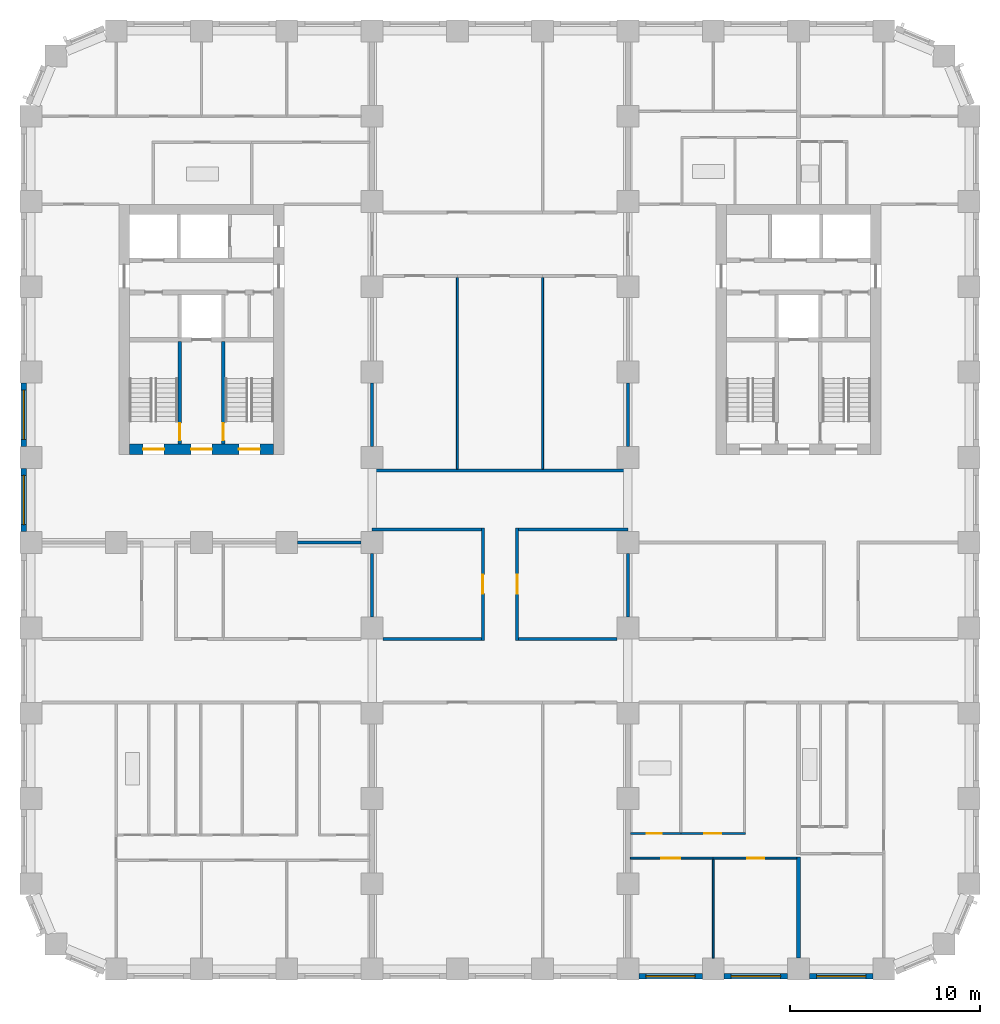
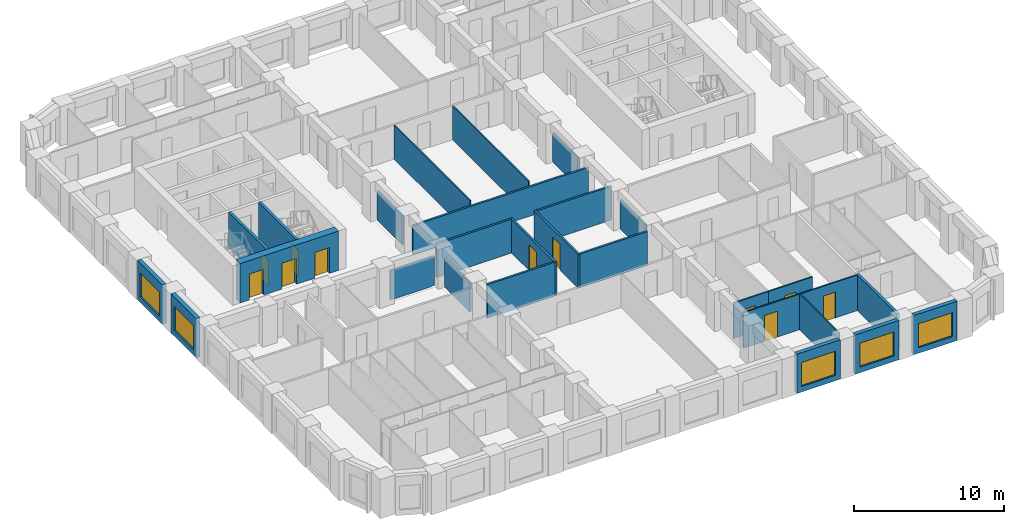
# One storey, part 4 of 13: 28 walls, 11 doors, 5 windows, 16 openings.
"""IFC4 building model written with IfcOpenShell, lengths in metres."""

from ifc_helpers import new_model, si_unit, direction, frame, frame_2d, origin, place, context, subcontext, project, spatial, rectangle, extrude, material, layer, layer_set, type_object, element, fill, save


model = new_model("IFC4")

# Units and contexts
model_context = context("Model", 3, precision=1e-05, world=origin(), true_north=direction((0.0, 1.0)))
body_context = subcontext(model_context, "Body", "Model", "MODEL_VIEW")
ifc_project = project(units=[si_unit("LENGTHUNIT", "METRE"), si_unit("AREAUNIT", "SQUARE_METRE"), si_unit("VOLUMEUNIT", "CUBIC_METRE"), si_unit("PLANEANGLEUNIT", "RADIAN"), si_unit("MASSUNIT", "GRAM", prefix="KILO")], contexts=[model_context])

# Site, building, storey
site_placement = place(None, origin())
site = spatial("IfcSite", under=ifc_project, at=site_placement, CompositionType="ELEMENT")
building_placement = place(site_placement, origin())
building = spatial("IfcBuilding", under=site, at=building_placement, Name="Girih Gate Residences", CompositionType="ELEMENT")
storey_placement = place(building_placement, frame((0.0, 0.0, 105.60009765625)))
storey = spatial("IfcBuildingStorey", under=building, at=storey_placement, Name="L29", CompositionType="ELEMENT", Elevation=105.60009765625)

# Wall, opening, door
ifc_material_1 = material(Name="Gypsum board on steel studs", Category="steel")
ifc_layer_1 = layer(ifc_material_1, 0.14990234375)
ifc_layer_set_1 = layer_set([ifc_layer_1], Name="Compartment wall 150 mm")
wall_type_1 = type_object("IfcWallType", Name="Compartment wall 150 mm", PredefinedType="PARTITIONING", material=ifc_layer_set_1)
wall_1_placement = place(storey_placement, frame((23.85009765625, 17.35009765625, 0.0), z_axis=(0.0, 0.0, 1.0), x_axis=(0.0, 1.0, 0.0)))
wall_1 = element("IfcWall", 1, at=wall_1_placement, inside=storey, type_object=wall_type_1, Name="L29 partition", PredefinedType="PARTITIONING", context=body_context, shape_type="SweptSolid", body=[
    extrude(rectangle(XDim=5.9248046875, YDim=0.14990234375, at=frame_2d((2.96240234375, 0.0))), origin(), (0.0, 0.0, 1.0), 2.75),
])
opening_1_placement = place(wall_1_placement, frame((2.46240234375, 0.0, 0.0)))
opening_1 = element("IfcOpeningElement", 2, at=opening_1_placement, cuts=wall_1, Name="Opening A29-048", PredefinedType="OPENING", context=body_context, shape_type="SweptSolid", body=[
    extrude(rectangle(XDim=1.0, YDim=2.10009765625, at=frame_2d((0.5, 1.050048828125))), frame((0.0, 0.0849609375, 0.0), z_axis=(0.0, -1.0, 0.0), x_axis=(1.0, 0.0, 0.0)), (0.0, 0.0, 1.0), 0.169921875),
])
ifc_material_2 = material(Name="Timber, fire-rated core", Category="wood")
door_type_1 = type_object("IfcDoorType", Name="Amenity room door 1000x2100 FD30S", OperationType="NOTDEFINED", PredefinedType="DOOR", material=ifc_material_2)
door_1_placement = place(opening_1_placement, origin())
door_1 = element("IfcDoor", 3, at=door_1_placement, inside=storey, type_object=door_type_1, Name="Door A29-048", OperationType="SINGLE_SWING_RIGHT", OverallHeight=2.10009765625, OverallWidth=1.0, PredefinedType="DOOR", context=body_context, shape_type="SweptSolid", body=[
    extrude(rectangle(XDim=1.0, YDim=2.10009765625, at=frame_2d((0.5, 1.050048828125))), frame((0.0, 0.02490234375, 0.0), z_axis=(0.0, -1.0, 0.0), x_axis=(1.0, 0.0, 0.0)), (0.0, 0.0, 1.0), 0.050048828125),
])
fill(opening_1, door_1)

wall_2_placement = place(storey_placement, frame((25.64990234375, 23.27490234375, 0.0), z_axis=(0.0, 0.0, 1.0), x_axis=(0.0, -1.0, 0.0)))
wall_2 = element("IfcWall", 4, at=wall_2_placement, inside=storey, type_object=wall_type_1, Name="L29 partition", PredefinedType="PARTITIONING", context=body_context, shape_type="SweptSolid", body=[
    extrude(rectangle(XDim=5.9248046875, YDim=0.14990234375, at=frame_2d((2.96240234375, 0.0))), origin(), (0.0, 0.0, 1.0), 2.75),
])
opening_2_placement = place(wall_2_placement, frame((2.46240234375, 0.0, 0.0)))
opening_2 = element("IfcOpeningElement", 5, at=opening_2_placement, cuts=wall_2, Name="Opening A29-049", PredefinedType="OPENING", context=body_context, shape_type="SweptSolid", body=[
    extrude(rectangle(XDim=1.0, YDim=2.10009765625, at=frame_2d((0.5, 1.050048828125))), frame((0.0, 0.0849609375, 0.0), z_axis=(0.0, -1.0, 0.0), x_axis=(1.0, 0.0, 0.0)), (0.0, 0.0, 1.0), 0.169921875),
])
door_2_placement = place(opening_2_placement, origin())
door_2 = element("IfcDoor", 6, at=door_2_placement, inside=storey, type_object=door_type_1, Name="Door A29-049", OperationType="SINGLE_SWING_RIGHT", OverallHeight=2.10009765625, OverallWidth=1.0, PredefinedType="DOOR", context=body_context, shape_type="SweptSolid", body=[
    extrude(rectangle(XDim=1.0, YDim=2.10009765625, at=frame_2d((0.5, 1.050048828125))), frame((0.0, 0.02490234375, 0.0), z_axis=(0.0, -1.0, 0.0), x_axis=(1.0, 0.0, 0.0)), (0.0, 0.0, 1.0), 0.050048828125),
])
fill(opening_2, door_2)

# Walls
for number, where, z_axis, x_axis, name in (
    (7, (18.574951171875, 17.425048828125, 0.0), (0.0, 0.0, 1.0), (1.0, 0.0, 0.0), "L29 partition"),
    (8, (25.72509765625, 17.425048828125, 0.0), (0.0, 0.0, 1.0), (1.0, 0.0, 0.0), "L29 partition"),
):
    element("IfcWall", number, at=place(storey_placement, frame(where, z_axis=z_axis, x_axis=x_axis)), inside=storey, type_object=wall_type_1, Name=name, PredefinedType="PARTITIONING", context=body_context, shape_type="SweptSolid", body=[
        extrude(rectangle(XDim=5.199951171875, YDim=0.14990234375, at=frame_2d((2.60009765625, 0.0))), origin(), (0.0, 0.0, 1.0), 2.75),
    ])
wall_3_placement = place(storey_placement, frame((18.0, 27.574951171875, 0.0), z_axis=(0.0, 0.0, 1.0), x_axis=(0.0, 1.0, 0.0)))
element("IfcWall", 9, at=wall_3_placement, inside=storey, type_object=wall_type_1, Name="L29 partition", PredefinedType="PARTITIONING", context=body_context, shape_type="SweptSolid", body=[
    extrude(rectangle(XDim=3.35009765625, YDim=0.14990234375, at=frame_2d((1.675048828125, 0.0))), origin(), (0.0, 0.0, 1.0), 2.3798828125),
])
wall_4_placement = place(storey_placement, frame((18.0, 26.300048828125, 0.0), z_axis=(0.0, 0.0, 1.0), x_axis=(1.0, 0.0, 0.0)))
element("IfcWall", 10, at=wall_4_placement, inside=storey, type_object=wall_type_1, Name="L29 partition", PredefinedType="PARTITIONING", context=body_context, shape_type="SweptSolid", body=[
    extrude(rectangle(XDim=13.5, YDim=0.14990234375, at=frame_2d((6.75, 0.0))), origin(), (0.0, 0.0, 1.0), 2.3798828125),
])
wall_5_placement = place(storey_placement, frame((31.5, 27.574951171875, 0.0), z_axis=(0.0, 0.0, 1.0), x_axis=(0.0, 1.0, 0.0)))
element("IfcWall", 11, at=wall_5_placement, inside=storey, type_object=wall_type_1, Name="L29 partition", PredefinedType="PARTITIONING", context=body_context, shape_type="SweptSolid", body=[
    extrude(rectangle(XDim=3.35009765625, YDim=0.14990234375, at=frame_2d((1.675048828125, 0.0))), origin(), (0.0, 0.0, 1.0), 2.3798828125),
])
wall_6_placement = place(storey_placement, frame((18.0, 23.199951171875, 0.0), z_axis=(0.0, 0.0, 1.0), x_axis=(1.0, 0.0, 0.0)))
element("IfcWall", 12, at=wall_6_placement, inside=storey, type_object=wall_type_1, Name="L29 partition", PredefinedType="PARTITIONING", context=body_context, shape_type="SweptSolid", body=[
    extrude(rectangle(XDim=5.77490234375, YDim=0.14990234375, at=frame_2d((2.887451171875, 0.0))), origin(), (0.0, 0.0, 1.0), 2.75),
])
wall_7_placement = place(storey_placement, frame((18.0, 18.574951171875, 0.0), z_axis=(0.0, 0.0, 1.0), x_axis=(0.0, 1.0, 0.0)))
element("IfcWall", 13, at=wall_7_placement, inside=storey, type_object=wall_type_1, Name="L29 partition", PredefinedType="PARTITIONING", context=body_context, shape_type="SweptSolid", body=[
    extrude(rectangle(XDim=3.35009765625, YDim=0.14990234375, at=frame_2d((1.675048828125, 0.0))), origin(), (0.0, 0.0, 1.0), 2.3798828125),
])
wall_8_placement = place(storey_placement, frame((25.72509765625, 23.199951171875, 0.0), z_axis=(0.0, 0.0, 1.0), x_axis=(1.0, 0.0, 0.0)))
element("IfcWall", 14, at=wall_8_placement, inside=storey, type_object=wall_type_1, Name="L29 partition", PredefinedType="PARTITIONING", context=body_context, shape_type="SweptSolid", body=[
    extrude(rectangle(XDim=5.77490234375, YDim=0.14990234375, at=frame_2d((2.887451171875, 0.0))), origin(), (0.0, 0.0, 1.0), 2.75),
])
for number, where, z_axis, x_axis, name in (
    (15, (31.5, 18.574951171875, 0.0), (0.0, 0.0, 1.0), (0.0, 1.0, 0.0), "L29 partition"),
    (16, (14.074951171875, 22.5, 0.0), (0.0, 0.0, 1.0), (1.0, 0.0, 0.0), "L29 partition"),
):
    element("IfcWall", number, at=place(storey_placement, frame(where, z_axis=z_axis, x_axis=x_axis)), inside=storey, type_object=wall_type_1, Name=name, PredefinedType="PARTITIONING", context=body_context, shape_type="SweptSolid", body=[
        extrude(rectangle(XDim=3.35009765625, YDim=0.14990234375, at=frame_2d((1.675048828125, 0.0))), origin(), (0.0, 0.0, 1.0), 2.3798828125),
    ])

# Wall, openings, doors
ifc_material_3 = material(Name="Concrete C60/75", Category="concrete")
ifc_layer_2 = layer(ifc_material_3, 0.550048828125)
ifc_layer_set_2 = layer_set([ifc_layer_2], Name="Core wall RC 550 Concrete C60/75")
wall_type_2 = type_object("IfcWallType", Name="Core wall RC 550 Concrete C60/75", PredefinedType="SOLIDWALL", material=ifc_layer_set_2)
wall_9_placement = place(storey_placement, frame((5.199951171875, 27.425048828125, 0.0), z_axis=(0.0, 0.0, 1.0), x_axis=(1.0, 0.0, 0.0)))
wall_9 = element("IfcWall", 17, at=wall_9_placement, inside=storey, type_object=wall_type_2, Name="Core wall W-S L29", PredefinedType="SOLIDWALL", context=body_context, shape_type="SweptSolid", body=[
    extrude(rectangle(XDim=7.60009765625, YDim=0.550048828125, at=frame_2d((3.800048828125, 0.0))), origin(), (0.0, 0.0, 1.0), 3.199951171875),
])
opening_3_placement = place(wall_9_placement, frame((0.72509765625, 0.0, 0.0)))
opening_3 = element("IfcOpeningElement", 18, at=opening_3_placement, cuts=wall_9, Name="Opening D-L29-W-009", PredefinedType="OPENING", context=body_context, shape_type="SweptSolid", body=[
    extrude(rectangle(XDim=1.10009765625, YDim=2.10009765625, at=frame_2d((0.550048828125, 1.050048828125))), frame((0.0, 0.284912109375, 0.0), z_axis=(0.0, -1.0, 0.0), x_axis=(1.0, 0.0, 0.0)), (0.0, 0.0, 1.0), 0.570068359375),
])
opening_4_placement = place(wall_9_placement, frame((3.25, 0.0, 0.0)))
opening_4 = element("IfcOpeningElement", 19, at=opening_4_placement, cuts=wall_9, Name="Opening D-L29-W-010", PredefinedType="OPENING", context=body_context, shape_type="SweptSolid", body=[
    extrude(rectangle(XDim=1.10009765625, YDim=2.10009765625, at=frame_2d((0.550048828125, 1.050048828125))), frame((0.0, 0.284912109375, 0.0), z_axis=(0.0, -1.0, 0.0), x_axis=(1.0, 0.0, 0.0)), (0.0, 0.0, 1.0), 0.570068359375),
])
opening_5_placement = place(wall_9_placement, frame((5.77490234375, 0.0, 0.0)))
opening_5 = element("IfcOpeningElement", 20, at=opening_5_placement, cuts=wall_9, Name="Opening D-L29-W-011", PredefinedType="OPENING", context=body_context, shape_type="SweptSolid", body=[
    extrude(rectangle(XDim=1.10009765625, YDim=2.10009765625, at=frame_2d((0.550048828125, 1.050048828125))), frame((0.0, 0.284912109375, 0.0), z_axis=(0.0, -1.0, 0.0), x_axis=(1.0, 0.0, 0.0)), (0.0, 0.0, 1.0), 0.570068359375),
])
ifc_material_4 = material(Name="Painted steel, fire-resisting", Category="steel")
door_type_2 = type_object("IfcDoorType", Name="Fire door 1100x2100", OperationType="SINGLE_SWING_LEFT", PredefinedType="DOOR", material=ifc_material_4)
door_3_placement = place(opening_3_placement, origin())
door_3 = element("IfcDoor", 21, at=door_3_placement, inside=storey, type_object=door_type_2, Name="L29 W core door sta-out", OperationType="SINGLE_SWING_LEFT", OverallHeight=2.10009765625, OverallWidth=1.10009765625, PredefinedType="DOOR", context=body_context, shape_type="SweptSolid", body=[
    extrude(rectangle(XDim=1.10009765625, YDim=2.10009765625, at=frame_2d((0.550048828125, 1.050048828125))), frame((0.0, 0.02490234375, 0.0), z_axis=(0.0, -1.0, 0.0), x_axis=(1.0, 0.0, 0.0)), (0.0, 0.0, 1.0), 0.050048828125),
])
fill(opening_3, door_3)
door_4_placement = place(opening_4_placement, origin())
door_4 = element("IfcDoor", 22, at=door_4_placement, inside=storey, type_object=door_type_2, Name="L29 W core door ffl-out", OperationType="SINGLE_SWING_LEFT", OverallHeight=2.10009765625, OverallWidth=1.10009765625, PredefinedType="DOOR", context=body_context, shape_type="SweptSolid", body=[
    extrude(rectangle(XDim=1.10009765625, YDim=2.10009765625, at=frame_2d((0.550048828125, 1.050048828125))), frame((0.0, 0.02490234375, 0.0), z_axis=(0.0, -1.0, 0.0), x_axis=(1.0, 0.0, 0.0)), (0.0, 0.0, 1.0), 0.050048828125),
])
fill(opening_4, door_4)
door_5_placement = place(opening_5_placement, origin())
door_5 = element("IfcDoor", 23, at=door_5_placement, inside=storey, type_object=door_type_2, Name="L29 W core door stb-out", OperationType="SINGLE_SWING_LEFT", OverallHeight=2.10009765625, OverallWidth=1.10009765625, PredefinedType="DOOR", context=body_context, shape_type="SweptSolid", body=[
    extrude(rectangle(XDim=1.10009765625, YDim=2.10009765625, at=frame_2d((0.550048828125, 1.050048828125))), frame((0.0, 0.02490234375, 0.0), z_axis=(0.0, -1.0, 0.0), x_axis=(1.0, 0.0, 0.0)), (0.0, 0.0, 1.0), 0.050048828125),
])
fill(opening_5, door_5)

# Wall, opening, door
ifc_layer_3 = layer(ifc_material_1, 0.10009765625)
ifc_layer_set_3 = layer_set([ifc_layer_3], Name="Partition 100 mm")
wall_type_3 = type_object("IfcWallType", Name="Partition 100 mm", PredefinedType="PARTITIONING", material=ifc_layer_set_3)
wall_10_placement = place(storey_placement, frame((40.39990234375, 5.85498046875, 0.0), z_axis=(0.0, 0.0, 1.0), x_axis=(-1.0, 0.0, 0.0)))
wall_10 = element("IfcWall", 24, at=wall_10_placement, inside=storey, type_object=wall_type_3, Name="L29 partition", PredefinedType="PARTITIONING", context=body_context, shape_type="SweptSolid", body=[
    extrude(rectangle(XDim=4.39990234375, YDim=0.10009765625, at=frame_2d((2.199951171875, 0.0))), origin(), (0.0, 0.0, 1.0), 2.89990234375),
])
opening_6_placement = place(wall_10_placement, frame((1.699951171875, 0.0, 0.0)))
opening_6 = element("IfcOpeningElement", 25, at=opening_6_placement, cuts=wall_10, Name="Opening A29-025", PredefinedType="OPENING", context=body_context, shape_type="SweptSolid", body=[
    extrude(rectangle(XDim=0.89990234375, YDim=2.10009765625, at=frame_2d((0.449951171875, 1.050048828125))), frame((0.0, 0.06005859375, 0.0), z_axis=(0.0, -1.0, 0.0), x_axis=(1.0, 0.0, 0.0)), (0.0, 0.0, 1.0), 0.1201171875),
])
ifc_material_5 = material(Name="Timber", Category="wood")
door_type_3 = type_object("IfcDoorType", Name="Bedroom door 900x2100", OperationType="NOTDEFINED", PredefinedType="DOOR", material=ifc_material_5)
door_6_placement = place(opening_6_placement, origin())
door_6 = element("IfcDoor", 26, at=door_6_placement, inside=storey, type_object=door_type_3, Name="Door A29-025", OperationType="SINGLE_SWING_LEFT", OverallHeight=2.10009765625, OverallWidth=0.89990234375, PredefinedType="DOOR", context=body_context, shape_type="SweptSolid", body=[
    extrude(rectangle(XDim=0.89990234375, YDim=2.10009765625, at=frame_2d((0.449951171875, 1.050048828125))), frame((0.0, 0.02490234375, 0.0), z_axis=(0.0, -1.0, 0.0), x_axis=(1.0, 0.0, 0.0)), (0.0, 0.0, 1.0), 0.050048828125),
])
fill(opening_6, door_6)

# Wall
wall_11_placement = place(storey_placement, frame((36.0, 0.574951171875, 0.0), z_axis=(0.0, 0.0, 1.0), x_axis=(0.0, 1.0, 0.0)))
element("IfcWall", 27, at=wall_11_placement, inside=storey, type_object=wall_type_3, Name="L29 partition", PredefinedType="PARTITIONING", context=body_context, shape_type="SweptSolid", body=[
    extrude(rectangle(XDim=5.22998046875, YDim=0.10009765625, at=frame_2d((2.614990234375, 0.0))), origin(), (0.0, 0.0, 1.0), 2.89990234375),
])

# Wall, opening, door
wall_12_placement = place(storey_placement, frame((34.287109375, 7.155029296875, 0.0), z_axis=(0.0, 0.0, 1.0), x_axis=(1.0, 0.0, 0.0)))
wall_12 = element("IfcWall", 28, at=wall_12_placement, inside=storey, type_object=wall_type_3, Name="L29 partition", PredefinedType="PARTITIONING", context=body_context, shape_type="SweptSolid", body=[
    extrude(rectangle(XDim=3.412841796875, YDim=0.10009765625, at=frame_2d((1.70654296875, 0.0))), origin(), (0.0, 0.0, 1.0), 2.89990234375),
])
opening_7_placement = place(wall_12_placement, frame((1.2314453125, 0.0, 0.0)))
opening_7 = element("IfcOpeningElement", 29, at=opening_7_placement, cuts=wall_12, Name="Opening A29-026", PredefinedType="OPENING", context=body_context, shape_type="SweptSolid", body=[
    extrude(rectangle(XDim=0.89990234375, YDim=2.10009765625, at=frame_2d((0.449951171875, 1.050048828125))), frame((0.0, 0.06005859375, 0.0), z_axis=(0.0, -1.0, 0.0), x_axis=(1.0, 0.0, 0.0)), (0.0, 0.0, 1.0), 0.1201171875),
])
door_type_4 = type_object("IfcDoorType", Name="Kitchen door 900x2100", OperationType="NOTDEFINED", PredefinedType="DOOR", material=ifc_material_5)
door_7_placement = place(opening_7_placement, origin())
door_7 = element("IfcDoor", 30, at=door_7_placement, inside=storey, type_object=door_type_4, Name="Door A29-026", OperationType="SINGLE_SWING_LEFT", OverallHeight=2.10009765625, OverallWidth=0.89990234375, PredefinedType="DOOR", context=body_context, shape_type="SweptSolid", body=[
    extrude(rectangle(XDim=0.89990234375, YDim=2.10009765625, at=frame_2d((0.449951171875, 1.050048828125))), frame((0.0, 0.02490234375, 0.0), z_axis=(0.0, -1.0, 0.0), x_axis=(1.0, 0.0, 0.0)), (0.0, 0.0, 1.0), 0.050048828125),
])
fill(opening_7, door_7)

wall_13_placement = place(storey_placement, frame((36.0, 5.85498046875, 0.0), z_axis=(0.0, 0.0, 1.0), x_axis=(-1.0, 0.0, 0.0)))
wall_13 = element("IfcWall", 31, at=wall_13_placement, inside=storey, type_object=wall_type_3, Name="L29 partition", PredefinedType="PARTITIONING", context=body_context, shape_type="SweptSolid", body=[
    extrude(rectangle(XDim=4.375, YDim=0.10009765625, at=frame_2d((2.1875, 0.0))), origin(), (0.0, 0.0, 1.0), 2.89990234375),
])
opening_8_placement = place(wall_13_placement, frame((1.75, 0.0, 0.0)))
opening_8 = element("IfcOpeningElement", 32, at=opening_8_placement, cuts=wall_13, Name="Opening A29-027", PredefinedType="OPENING", context=body_context, shape_type="SweptSolid", body=[
    extrude(rectangle(XDim=1.0, YDim=2.10009765625, at=frame_2d((0.5, 1.050048828125))), frame((0.0, 0.06005859375, 0.0), z_axis=(0.0, -1.0, 0.0), x_axis=(1.0, 0.0, 0.0)), (0.0, 0.0, 1.0), 0.1201171875),
])
door_type_5 = type_object("IfcDoorType", Name="Living room door 1000x2100", OperationType="NOTDEFINED", PredefinedType="DOOR", material=ifc_material_5)
door_8_placement = place(opening_8_placement, origin())
door_8 = element("IfcDoor", 33, at=door_8_placement, inside=storey, type_object=door_type_5, Name="Door A29-027", OperationType="SINGLE_SWING_RIGHT", OverallHeight=2.10009765625, OverallWidth=1.0, PredefinedType="DOOR", context=body_context, shape_type="SweptSolid", body=[
    extrude(rectangle(XDim=1.0, YDim=2.10009765625, at=frame_2d((0.5, 1.050048828125))), frame((0.0, 0.02490234375, 0.0), z_axis=(0.0, -1.0, 0.0), x_axis=(1.0, 0.0, 0.0)), (0.0, 0.0, 1.0), 0.050048828125),
])
fill(opening_8, door_8)

# Walls
for number, where, z_axis, x_axis, name in (
    (34, (22.5, 26.375, 0.0), (0.0, 0.0, 1.0), (0.0, 1.0, 0.0), "L29 partition"),
    (35, (27.0, 26.375, 0.0), (0.0, 0.0, 1.0), (0.0, 1.0, 0.0), "L29 partition"),
):
    element("IfcWall", number, at=place(storey_placement, frame(where, z_axis=z_axis, x_axis=x_axis)), inside=storey, type_object=wall_type_3, Name=name, PredefinedType="PARTITIONING", context=body_context, shape_type="SweptSolid", body=[
        extrude(rectangle(XDim=10.125, YDim=0.10009765625, at=frame_2d((5.0625, 0.0))), origin(), (0.0, 0.0, 1.0), 2.75),
    ])
ifc_layer_4 = layer(ifc_material_1, 0.199951171875)
ifc_layer_set_4 = layer_set([ifc_layer_4], Name="Party wall 200 mm")
wall_type_4 = type_object("IfcWallType", Name="Party wall 200 mm", PredefinedType="PARTITIONING", material=ifc_layer_set_4)
wall_14_placement = place(storey_placement, frame((40.5, 0.574951171875, 0.0), z_axis=(0.0, 0.0, 1.0), x_axis=(0.0, 1.0, 0.0)))
element("IfcWall", 36, at=wall_14_placement, inside=storey, type_object=wall_type_4, Name="L29 partition", PredefinedType="PARTITIONING", context=body_context, shape_type="SweptSolid", body=[
    extrude(rectangle(XDim=5.330078125, YDim=0.199951171875, at=frame_2d((2.6650390625, 0.0))), origin(), (0.0, 0.0, 1.0), 2.89990234375),
])

# Wall, opening, window
ifc_material_6 = material(Name="Precast concrete C50/60", Category="concrete")
ifc_layer_5 = layer(ifc_material_6, 0.080078125, Name="Outer leaf")
ifc_material_7 = material(Name="Rigid PIR insulation")
ifc_layer_6 = layer(ifc_material_7, 0.14990234375, Name="Insulation")
ifc_material_8 = material(Name="Precast concrete C40/50", Category="concrete")
ifc_layer_7 = layer(ifc_material_8, 0.070068359375, Name="Inner leaf")
ifc_layer_set_5 = layer_set([ifc_layer_5, ifc_layer_6, ifc_layer_7], Name="Precast concrete C50/60 external wall 300")
wall_type_5 = type_object("IfcWallType", Name="Precast concrete C50/60 external wall 300", PredefinedType="SOLIDWALL", material=ifc_layer_set_5)
wall_15_placement = place(storey_placement, frame((35.425048828125, -0.375, 0.0), z_axis=(0.0, 0.0, 1.0), x_axis=(-1.0, 0.0, 0.0)))
wall_15 = element("IfcWall", 37, at=wall_15_placement, inside=storey, type_object=wall_type_5, Name="External wall S0045_0000.6", PredefinedType="SOLIDWALL", context=body_context, shape_type="SweptSolid", body=[
    extrude(rectangle(XDim=3.35009765625, YDim=0.300048828125, at=frame_2d((1.675048828125, 0.0))), origin(), (0.0, 0.0, 1.0), 3.199951171875),
])
opening_9_placement = place(wall_15_placement, frame((0.375, 0.0, 0.449951171875)))
opening_9 = element("IfcOpeningElement", 38, at=opening_9_placement, cuts=wall_15, Name="Opening W-1A", PredefinedType="OPENING", context=body_context, shape_type="SweptSolid", body=[
    extrude(rectangle(XDim=2.60009765625, YDim=1.949951171875, at=frame_2d((1.300048828125, 0.97509765625))), frame((0.0, 0.159912109375, 0.0), z_axis=(0.0, -1.0, 0.0), x_axis=(1.0, 0.0, 0.0)), (0.0, 0.0, 1.0), 0.320068359375),
])
ifc_material_9 = material(Name="Double glazing in aluminium frame", Category="aluminium")
window_type = type_object("IfcWindowType", Name="Window W-1A 2600x1950", PartitioningType="SINGLE_PANEL", PredefinedType="WINDOW", material=ifc_material_9)
window_1_placement = place(opening_9_placement, origin())
window_1 = element("IfcWindow", 39, at=window_1_placement, inside=storey, type_object=window_type, Name="Window W-1A S0045_0000.6", OverallHeight=1.949951171875, OverallWidth=2.60009765625, PartitioningType="SINGLE_PANEL", PredefinedType="WINDOW", context=body_context, shape_type="SweptSolid", body=[
    extrude(rectangle(XDim=2.60009765625, YDim=1.949951171875, at=frame_2d((1.300048828125, 0.97509765625))), frame((0.0, 0.030029296875, 0.0), z_axis=(0.0, -1.0, 0.0), x_axis=(1.0, 0.0, 0.0)), (0.0, 0.0, 1.0), 0.06005859375),
])
fill(opening_9, window_1)

wall_16_placement = place(storey_placement, frame((39.925048828125, -0.375, 0.0), z_axis=(0.0, 0.0, 1.0), x_axis=(-1.0, 0.0, 0.0)))
wall_16 = element("IfcWall", 40, at=wall_16_placement, inside=storey, type_object=wall_type_5, Name="External wall S0045_0000.7", PredefinedType="SOLIDWALL", context=body_context, shape_type="SweptSolid", body=[
    extrude(rectangle(XDim=3.35009765625, YDim=0.300048828125, at=frame_2d((1.675048828125, 0.0))), origin(), (0.0, 0.0, 1.0), 3.199951171875),
])
opening_10_placement = place(wall_16_placement, frame((0.375, 0.0, 0.449951171875)))
opening_10 = element("IfcOpeningElement", 41, at=opening_10_placement, cuts=wall_16, Name="Opening W-1A", PredefinedType="OPENING", context=body_context, shape_type="SweptSolid", body=[
    extrude(rectangle(XDim=2.60009765625, YDim=1.949951171875, at=frame_2d((1.300048828125, 0.97509765625))), frame((0.0, 0.159912109375, 0.0), z_axis=(0.0, -1.0, 0.0), x_axis=(1.0, 0.0, 0.0)), (0.0, 0.0, 1.0), 0.320068359375),
])
window_2_placement = place(opening_10_placement, origin())
window_2 = element("IfcWindow", 42, at=window_2_placement, inside=storey, type_object=window_type, Name="Window W-1A S0045_0000.7", OverallHeight=1.949951171875, OverallWidth=2.60009765625, PartitioningType="SINGLE_PANEL", PredefinedType="WINDOW", context=body_context, shape_type="SweptSolid", body=[
    extrude(rectangle(XDim=2.60009765625, YDim=1.949951171875, at=frame_2d((1.300048828125, 0.97509765625))), frame((0.0, 0.030029296875, 0.0), z_axis=(0.0, -1.0, 0.0), x_axis=(1.0, 0.0, 0.0)), (0.0, 0.0, 1.0), 0.06005859375),
])
fill(opening_10, window_2)

wall_17_placement = place(storey_placement, frame((44.425048828125, -0.375, 0.0), z_axis=(0.0, 0.0, 1.0), x_axis=(-1.0, 0.0, 0.0)))
wall_17 = element("IfcWall", 43, at=wall_17_placement, inside=storey, type_object=wall_type_5, Name="External wall S0045_0000.8", PredefinedType="SOLIDWALL", context=body_context, shape_type="SweptSolid", body=[
    extrude(rectangle(XDim=3.35009765625, YDim=0.300048828125, at=frame_2d((1.675048828125, 0.0))), origin(), (0.0, 0.0, 1.0), 3.199951171875),
])
opening_11_placement = place(wall_17_placement, frame((0.375, 0.0, 0.449951171875)))
opening_11 = element("IfcOpeningElement", 44, at=opening_11_placement, cuts=wall_17, Name="Opening W-1A", PredefinedType="OPENING", context=body_context, shape_type="SweptSolid", body=[
    extrude(rectangle(XDim=2.60009765625, YDim=1.949951171875, at=frame_2d((1.300048828125, 0.97509765625))), frame((0.0, 0.159912109375, 0.0), z_axis=(0.0, -1.0, 0.0), x_axis=(1.0, 0.0, 0.0)), (0.0, 0.0, 1.0), 0.320068359375),
])
window_3_placement = place(opening_11_placement, origin())
window_3 = element("IfcWindow", 45, at=window_3_placement, inside=storey, type_object=window_type, Name="Window W-1A S0045_0000.8", OverallHeight=1.949951171875, OverallWidth=2.60009765625, PartitioningType="SINGLE_PANEL", PredefinedType="WINDOW", context=body_context, shape_type="SweptSolid", body=[
    extrude(rectangle(XDim=2.60009765625, YDim=1.949951171875, at=frame_2d((1.300048828125, 0.97509765625))), frame((0.0, 0.030029296875, 0.0), z_axis=(0.0, -1.0, 0.0), x_axis=(1.0, 0.0, 0.0)), (0.0, 0.0, 1.0), 0.06005859375),
])
fill(opening_11, window_3)

wall_18_placement = place(storey_placement, frame((-0.375, 27.574951171875, 0.0), z_axis=(0.0, 0.0, 1.0), x_axis=(0.0, 1.0, 0.0)))
wall_18 = element("IfcWall", 46, at=wall_18_placement, inside=storey, type_object=wall_type_5, Name="External wall W0000_0450.3", PredefinedType="SOLIDWALL", context=body_context, shape_type="SweptSolid", body=[
    extrude(rectangle(XDim=3.35009765625, YDim=0.300048828125, at=frame_2d((1.675048828125, 0.0))), origin(), (0.0, 0.0, 1.0), 3.199951171875),
])
opening_12_placement = place(wall_18_placement, frame((0.375, 0.0, 0.449951171875)))
opening_12 = element("IfcOpeningElement", 47, at=opening_12_placement, cuts=wall_18, Name="Opening W-1A", PredefinedType="OPENING", context=body_context, shape_type="SweptSolid", body=[
    extrude(rectangle(XDim=2.60009765625, YDim=1.949951171875, at=frame_2d((1.300048828125, 0.97509765625))), frame((0.0, 0.159912109375, 0.0), z_axis=(0.0, -1.0, 0.0), x_axis=(1.0, 0.0, 0.0)), (0.0, 0.0, 1.0), 0.320068359375),
])
window_4_placement = place(opening_12_placement, origin())
window_4 = element("IfcWindow", 48, at=window_4_placement, inside=storey, type_object=window_type, Name="Window W-1A W0000_0450.3", OverallHeight=1.949951171875, OverallWidth=2.60009765625, PartitioningType="SINGLE_PANEL", PredefinedType="WINDOW", context=body_context, shape_type="SweptSolid", body=[
    extrude(rectangle(XDim=2.60009765625, YDim=1.949951171875, at=frame_2d((1.300048828125, 0.97509765625))), frame((0.0, 0.030029296875, 0.0), z_axis=(0.0, -1.0, 0.0), x_axis=(1.0, 0.0, 0.0)), (0.0, 0.0, 1.0), 0.06005859375),
])
fill(opening_12, window_4)

wall_19_placement = place(storey_placement, frame((-0.375, 23.074951171875, 0.0), z_axis=(0.0, 0.0, 1.0), x_axis=(0.0, 1.0, 0.0)))
wall_19 = element("IfcWall", 49, at=wall_19_placement, inside=storey, type_object=wall_type_5, Name="External wall W0000_0450.4", PredefinedType="SOLIDWALL", context=body_context, shape_type="SweptSolid", body=[
    extrude(rectangle(XDim=3.35009765625, YDim=0.300048828125, at=frame_2d((1.675048828125, 0.0))), origin(), (0.0, 0.0, 1.0), 3.199951171875),
])
opening_13_placement = place(wall_19_placement, frame((0.375, 0.0, 0.449951171875)))
opening_13 = element("IfcOpeningElement", 50, at=opening_13_placement, cuts=wall_19, Name="Opening W-1A", PredefinedType="OPENING", context=body_context, shape_type="SweptSolid", body=[
    extrude(rectangle(XDim=2.60009765625, YDim=1.949951171875, at=frame_2d((1.300048828125, 0.97509765625))), frame((0.0, 0.159912109375, 0.0), z_axis=(0.0, -1.0, 0.0), x_axis=(1.0, 0.0, 0.0)), (0.0, 0.0, 1.0), 0.320068359375),
])
window_5_placement = place(opening_13_placement, origin())
window_5 = element("IfcWindow", 51, at=window_5_placement, inside=storey, type_object=window_type, Name="Window W-1A W0000_0450.4", OverallHeight=1.949951171875, OverallWidth=2.60009765625, PartitioningType="SINGLE_PANEL", PredefinedType="WINDOW", context=body_context, shape_type="SweptSolid", body=[
    extrude(rectangle(XDim=2.60009765625, YDim=1.949951171875, at=frame_2d((1.300048828125, 0.97509765625))), frame((0.0, 0.030029296875, 0.0), z_axis=(0.0, -1.0, 0.0), x_axis=(1.0, 0.0, 0.0)), (0.0, 0.0, 1.0), 0.06005859375),
])
fill(opening_13, window_5)

# Wall, opening, door
ifc_material_10 = material(Name="Concrete C40/50", Category="concrete")
ifc_layer_8 = layer(ifc_material_10, 0.199951171875)
ifc_layer_set_6 = layer_set([ifc_layer_8], Name="Shaft wall 200")
wall_type_6 = type_object("IfcWallType", Name="Shaft wall 200", PredefinedType="SOLIDWALL", material=ifc_layer_set_6)
wall_20_placement = place(storey_placement, frame((7.85009765625, 27.699951171875, 0.0), z_axis=(0.0, 0.0, 1.0), x_axis=(0.0, 1.0, 0.0)))
wall_20 = element("IfcWall", 52, at=wall_20_placement, inside=storey, type_object=wall_type_6, Name="L29 W core wall V1a", PredefinedType="SOLIDWALL", context=body_context, shape_type="SweptSolid", body=[
    extrude(rectangle(XDim=5.400146484375, YDim=0.199951171875, at=frame_2d((2.7001953125, 0.0))), origin(), (0.0, 0.0, 1.0), 2.89990234375),
])
opening_14_placement = place(wall_20_placement, frame((0.199951171875, 0.0, 0.0)))
opening_14 = element("IfcOpeningElement", 53, at=opening_14_placement, cuts=wall_20, Name="Opening D-L29-W-001", PredefinedType="OPENING", context=body_context, shape_type="SweptSolid", body=[
    extrude(rectangle(XDim=0.89990234375, YDim=2.10009765625, at=frame_2d((0.449951171875, 1.050048828125))), frame((0.0, 0.10986328125, 0.0), z_axis=(0.0, -1.0, 0.0), x_axis=(1.0, 0.0, 0.0)), (0.0, 0.0, 1.0), 0.219970703125),
])
door_type_6 = type_object("IfcDoorType", Name="Fire door 900x2100", OperationType="SINGLE_SWING_LEFT", PredefinedType="DOOR", material=ifc_material_4)
door_9_placement = place(opening_14_placement, origin())
door_9 = element("IfcDoor", 54, at=door_9_placement, inside=storey, type_object=door_type_6, Name="L29 W door stair 1 to firefighting lobby", OperationType="SINGLE_SWING_LEFT", OverallHeight=2.10009765625, OverallWidth=0.89990234375, PredefinedType="DOOR", context=body_context, shape_type="SweptSolid", body=[
    extrude(rectangle(XDim=0.89990234375, YDim=2.10009765625, at=frame_2d((0.449951171875, 1.050048828125))), frame((0.0, 0.02490234375, 0.0), z_axis=(0.0, -1.0, 0.0), x_axis=(1.0, 0.0, 0.0)), (0.0, 0.0, 1.0), 0.050048828125),
])
fill(opening_14, door_9)

wall_21_placement = place(storey_placement, frame((10.14990234375, 27.699951171875, 0.0), z_axis=(0.0, 0.0, 1.0), x_axis=(0.0, 1.0, 0.0)))
wall_21 = element("IfcWall", 55, at=wall_21_placement, inside=storey, type_object=wall_type_6, Name="L29 W core wall V2a", PredefinedType="SOLIDWALL", context=body_context, shape_type="SweptSolid", body=[
    extrude(rectangle(XDim=5.400146484375, YDim=0.199951171875, at=frame_2d((2.7001953125, 0.0))), origin(), (0.0, 0.0, 1.0), 2.89990234375),
])
opening_15_placement = place(wall_21_placement, frame((0.199951171875, 0.0, 0.0)))
opening_15 = element("IfcOpeningElement", 56, at=opening_15_placement, cuts=wall_21, Name="Opening D-L29-W-002", PredefinedType="OPENING", context=body_context, shape_type="SweptSolid", body=[
    extrude(rectangle(XDim=0.89990234375, YDim=2.10009765625, at=frame_2d((0.449951171875, 1.050048828125))), frame((0.0, 0.10986328125, 0.0), z_axis=(0.0, -1.0, 0.0), x_axis=(1.0, 0.0, 0.0)), (0.0, 0.0, 1.0), 0.219970703125),
])
door_10_placement = place(opening_15_placement, origin())
door_10 = element("IfcDoor", 57, at=door_10_placement, inside=storey, type_object=door_type_6, Name="L29 W door stair 2 to firefighting lobby", OperationType="SINGLE_SWING_LEFT", OverallHeight=2.10009765625, OverallWidth=0.89990234375, PredefinedType="DOOR", context=body_context, shape_type="SweptSolid", body=[
    extrude(rectangle(XDim=0.89990234375, YDim=2.10009765625, at=frame_2d((0.449951171875, 1.050048828125))), frame((0.0, 0.02490234375, 0.0), z_axis=(0.0, -1.0, 0.0), x_axis=(1.0, 0.0, 0.0)), (0.0, 0.0, 1.0), 0.050048828125),
])
fill(opening_15, door_10)

ifc_layer_9 = layer(ifc_material_1, 0.125)
ifc_layer_set_7 = layer_set([ifc_layer_9], Name="Wet room wall 125 mm")
wall_type_7 = type_object("IfcWallType", Name="Wet room wall 125 mm", PredefinedType="PARTITIONING", material=ifc_layer_set_7)
wall_22_placement = place(storey_placement, frame((31.625, 7.155029296875, 0.0), z_axis=(0.0, 0.0, 1.0), x_axis=(1.0, 0.0, 0.0)))
wall_22 = element("IfcWall", 58, at=wall_22_placement, inside=storey, type_object=wall_type_7, Name="L29 partition", PredefinedType="PARTITIONING", context=body_context, shape_type="SweptSolid", body=[
    extrude(rectangle(XDim=2.662109375, YDim=0.125, at=frame_2d((1.3310546875, 0.0))), origin(), (0.0, 0.0, 1.0), 2.89990234375),
])
opening_16_placement = place(wall_22_placement, frame((0.868408203125, 0.0, 0.0)))
opening_16 = element("IfcOpeningElement", 59, at=opening_16_placement, cuts=wall_22, Name="Opening A29-024", PredefinedType="OPENING", context=body_context, shape_type="SweptSolid", body=[
    extrude(rectangle(XDim=0.800048828125, YDim=2.10009765625, at=frame_2d((0.39990234375, 1.050048828125))), frame((0.0, 0.072509765625, 0.0), z_axis=(0.0, -1.0, 0.0), x_axis=(1.0, 0.0, 0.0)), (0.0, 0.0, 1.0), 0.14501953125),
])
door_type_7 = type_object("IfcDoorType", Name="Bathroom door 800x2100", OperationType="NOTDEFINED", PredefinedType="DOOR", material=ifc_material_5)
door_11_placement = place(opening_16_placement, origin())
door_11 = element("IfcDoor", 60, at=door_11_placement, inside=storey, type_object=door_type_7, Name="Door A29-024", OperationType="SINGLE_SWING_LEFT", OverallHeight=2.10009765625, OverallWidth=0.800048828125, PredefinedType="DOOR", context=body_context, shape_type="SweptSolid", body=[
    extrude(rectangle(XDim=0.800048828125, YDim=2.10009765625, at=frame_2d((0.39990234375, 1.050048828125))), frame((0.0, 0.02490234375, 0.0), z_axis=(0.0, -1.0, 0.0), x_axis=(1.0, 0.0, 0.0)), (0.0, 0.0, 1.0), 0.050048828125),
])
fill(opening_16, door_11)

save(model, "model.ifc")
